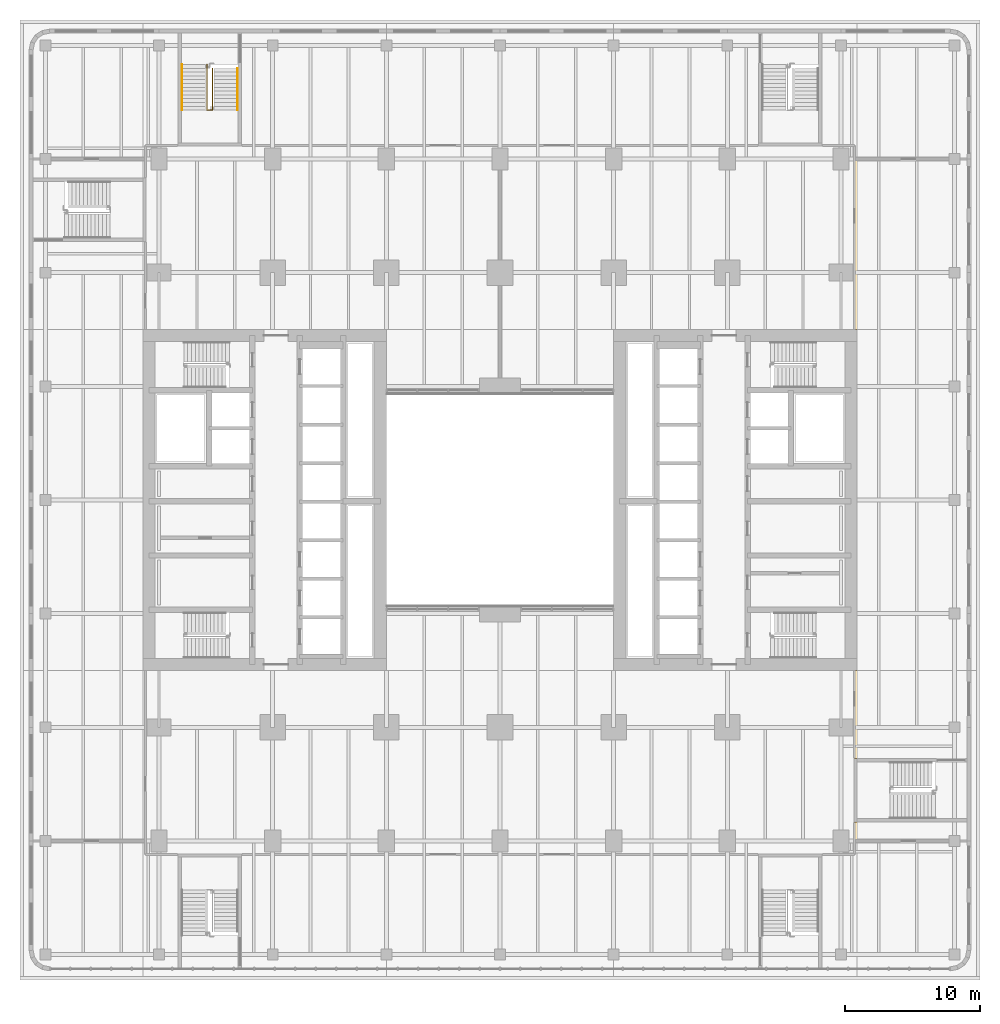
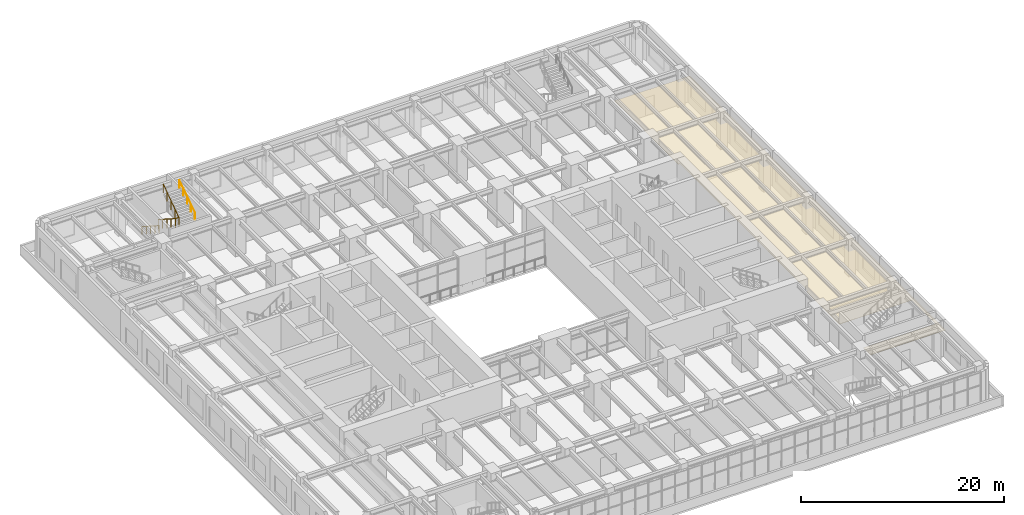
# One storey, part 27 of 30: 3 railings, 1 covering.
"""IFC4 building model written with IfcOpenShell, lengths in metres."""

from ifc_helpers import new_model, si_unit, direction, frame, origin, origin_2d, place, context, subcontext, project, spatial, polyline, circle, outline, extrude, material, layer, layer_set, type_object, element, save


model = new_model("IFC4")

# Units and contexts
model_context = context("Model", 3, precision=1e-05, world=origin(), true_north=direction((0.0, 1.0)))
body_context = subcontext(model_context, "Body", "Model", "MODEL_VIEW")
ifc_project = project(units=[si_unit("LENGTHUNIT", "METRE"), si_unit("AREAUNIT", "SQUARE_METRE"), si_unit("VOLUMEUNIT", "CUBIC_METRE"), si_unit("PLANEANGLEUNIT", "RADIAN"), si_unit("MASSUNIT", "GRAM", prefix="KILO")], contexts=[model_context])

# Site, building, storey
site_placement = place(None, origin())
site = spatial("IfcSite", under=ifc_project, at=site_placement, CompositionType="ELEMENT")
building_placement = place(site_placement, origin())
building = spatial("IfcBuilding", under=site, at=building_placement, Name="Claustro Exchange Tower", CompositionType="ELEMENT")
storey_placement = place(building_placement, frame((0.0, 0.0, 5.39990234375)))
storey = spatial("IfcBuildingStorey", under=building, at=storey_placement, Name="L01", CompositionType="ELEMENT", Elevation=5.39990234375)

# Covering
ifc_material_1 = material(Name="Gypsum board ceiling", Category="gypsum board")
ifc_layer = layer(ifc_material_1, 0.02490234375)
ifc_layer_set = layer_set([ifc_layer], Name="Gypsum board ceiling")
covering_type = type_object("IfcCoveringType", Name="CL2 plasterboard ceiling", PredefinedType="CEILING", material=ifc_layer_set)
covering_placement = place(storey_placement, frame((0.0, 0.0, 3.0)))
element("IfcCovering", 1, at=covering_placement, inside=storey, type_object=covering_type, Name="Ceiling CL2 L01-07", PredefinedType="CEILING", context=body_context, shape_type="SweptSolid", body=[
    extrude(outline(polyline([(51.39990234375, 0.0), (60.0, 0.0), (60.0, 50.39990234375), (51.39990234375, 50.39990234375), (51.39990234375, 37.800048828125), (51.60009765625, 37.800048828125), (51.60009765625, 12.60009765625), (51.39990234375, 12.60009765625), (51.39990234375, 6.10009765625), (59.679931640625, 6.10009765625), (59.679931640625, 1.39990234375), (51.39990234375, 1.39990234375), (51.39990234375, 0.0)])), origin(), (0.0, 0.0, 1.0), 0.025146484375),
])

# Railings
ifc_material_2 = material(Name="Steel balustrade, painted", Category="steel")
railing_type_1 = type_object("IfcRailingType", Name="GR2 1100 steel stair guard", PredefinedType="GUARDRAIL", material=ifc_material_2)
railing_1_placement = place(storey_placement, frame((3.550048828125, 57.3798828125, 0.18017578125)))
element("IfcRailing", 2, at=railing_1_placement, inside=storey, type_object=railing_type_1, Name="Stair well guard GR2 stair STP3 L01", PredefinedType="GUARDRAIL", context=body_context, shape_type="SweptSolid", body=[
    extrude(circle(Radius=0.02392578125, at=origin_2d()), frame((0.0, 0.0, 1.076171875), z_axis=(0.0, -0.841178475377, 0.540757591313), x_axis=(1.0, 0.0, 0.0)), (0.0, 0.0, 1.0), 3.994140625),
    extrude(circle(Radius=0.02392578125, at=origin_2d()), frame((0.0, -3.35986328125, 3.23583984375), z_axis=(1.0, 0.0, 0.0), x_axis=(0.0, 1.0, 0.0)), (0.0, 0.0, 1.0), 0.39990234375),
    extrude(circle(Radius=0.02392578125, at=origin_2d()), frame((0.39990234375, -3.35986328125, 3.23583984375), z_axis=(0.0, 0.8187499073, 0.574150319426), x_axis=(-1.0, 0.0, 0.0)), (0.0, 0.0, 1.0), 3.761962890625),
    extrude(circle(Radius=0.02099609375, at=origin_2d()), origin(), (0.0, 0.0, 1.0), 1.052001953125),
    extrude(circle(Radius=0.02099609375, at=origin_2d()), frame((0.0, -0.83984375, 0.5400390625)), (0.0, 0.0, 1.0), 1.052001953125),
    extrude(circle(Radius=0.02099609375, at=origin_2d()), frame((0.0, -1.679931640625, 1.080078125)), (0.0, 0.0, 1.0), 1.052001953125),
    extrude(circle(Radius=0.02099609375, at=origin_2d()), frame((0.0, -2.52001953125, 1.619873046875)), (0.0, 0.0, 1.0), 1.052001953125),
    extrude(circle(Radius=0.02099609375, at=origin_2d()), frame((0.0, -3.35986328125, 2.159912109375)), (0.0, 0.0, 1.0), 1.052001953125),
    extrude(circle(Radius=0.02099609375, at=origin_2d()), frame((0.39990234375, -3.35986328125, 2.159912109375)), (0.0, 0.0, 1.0), 1.052001953125),
    extrude(circle(Radius=0.02099609375, at=origin_2d()), frame((0.39990234375, -2.58984375, 2.699951171875)), (0.0, 0.0, 1.0), 1.052001953125),
    extrude(circle(Radius=0.02099609375, at=origin_2d()), frame((0.39990234375, -1.81982421875, 3.23974609375)), (0.0, 0.0, 1.0), 1.052001953125),
    extrude(circle(Radius=0.02099609375, at=origin_2d()), frame((0.39990234375, -1.0498046875, 3.77978515625)), (0.0, 0.0, 1.0), 1.052001953125),
    extrude(circle(Radius=0.02099609375, at=origin_2d()), frame((0.39990234375, -0.27978515625, 4.31982421875)), (0.0, 0.0, 1.0), 1.052001953125),
])
ifc_material_3 = material(Name="Stainless steel tube", Category="steel")
railing_type_2 = type_object("IfcRailingType", Name="HR1 900 stair handrail", PredefinedType="HANDRAIL", material=ifc_material_3)
railing_2_placement = place(storey_placement, frame((1.7099609375, 57.3798828125, 0.18017578125)))
element("IfcRailing", 3, at=railing_2_placement, inside=storey, type_object=railing_type_2, Name="Handrail HR1 stair STP3 L01", PredefinedType="HANDRAIL", context=body_context, shape_type="SweptSolid", body=[
    extrude(circle(Radius=0.02392578125, at=origin_2d()), frame((0.0, 0.0, 0.8759765625), z_axis=(0.0, -0.841178475377, 0.540757591313), x_axis=(1.0, 0.0, 0.0)), (0.0, 0.0, 1.0), 3.994140625),
    extrude(circle(Radius=0.02099609375, at=origin_2d()), origin(), (0.0, 0.0, 1.0), 0.851806640625),
    extrude(circle(Radius=0.02099609375, at=origin_2d()), frame((0.0, -0.83984375, 0.5400390625)), (0.0, 0.0, 1.0), 0.851806640625),
    extrude(circle(Radius=0.02099609375, at=origin_2d()), frame((0.0, -1.679931640625, 1.080078125)), (0.0, 0.0, 1.0), 0.851806640625),
    extrude(circle(Radius=0.02099609375, at=origin_2d()), frame((0.0, -2.52001953125, 1.619873046875)), (0.0, 0.0, 1.0), 0.851806640625),
    extrude(circle(Radius=0.02099609375, at=origin_2d()), frame((0.0, -3.35986328125, 2.159912109375)), (0.0, 0.0, 1.0), 0.851806640625),
])
railing_3_placement = place(storey_placement, frame((5.7900390625, 54.02001953125, 2.52001953125)))
element("IfcRailing", 4, at=railing_3_placement, inside=storey, type_object=railing_type_2, Name="Handrail HR1 stair STP3 L01", PredefinedType="HANDRAIL", context=body_context, shape_type="SweptSolid", body=[
    extrude(circle(Radius=0.02392578125, at=origin_2d()), frame((0.0, 0.0, 0.8759765625), z_axis=(0.0, 0.84118714077, 0.540744111576), x_axis=(-1.0, 0.0, 0.0)), (0.0, 0.0, 1.0), 3.66162109375),
    extrude(circle(Radius=0.02099609375, at=origin_2d()), origin(), (0.0, 0.0, 1.0), 0.851806640625),
    extrude(circle(Radius=0.02099609375, at=origin_2d()), frame((0.0, 0.77001953125, 0.4951171875)), (0.0, 0.0, 1.0), 0.851806640625),
    extrude(circle(Radius=0.02099609375, at=origin_2d()), frame((0.0, 1.5400390625, 0.989990234375)), (0.0, 0.0, 1.0), 0.851806640625),
    extrude(circle(Radius=0.02099609375, at=origin_2d()), frame((0.0, 2.31005859375, 1.48486328125)), (0.0, 0.0, 1.0), 0.851806640625),
    extrude(circle(Radius=0.02099609375, at=origin_2d()), frame((0.0, 3.080078125, 1.97998046875)), (0.0, 0.0, 1.0), 0.851806640625),
])

save(model, "model.ifc")
